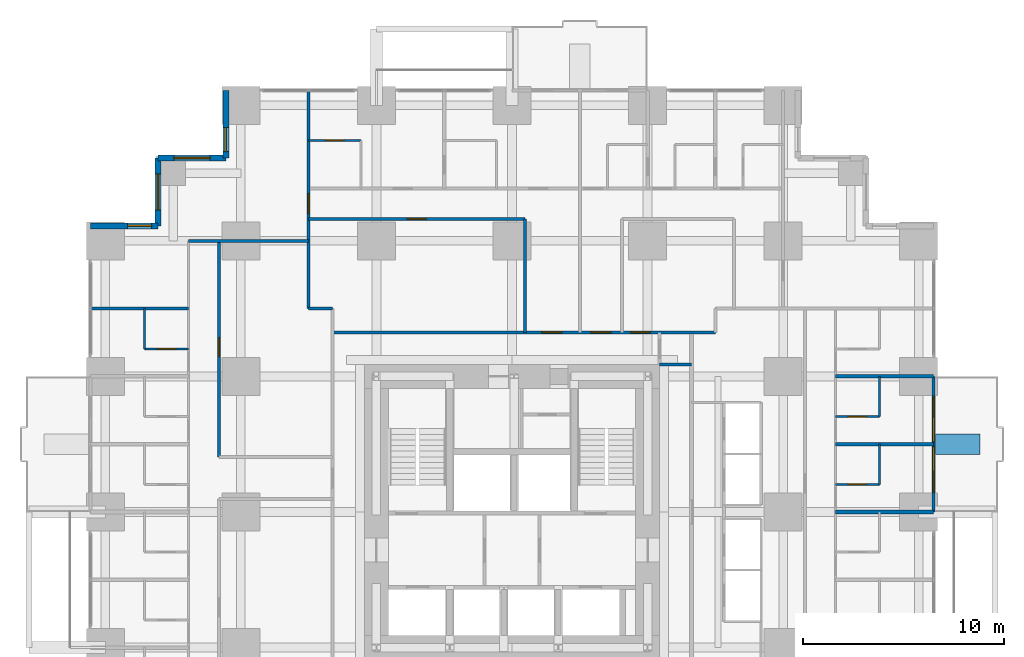
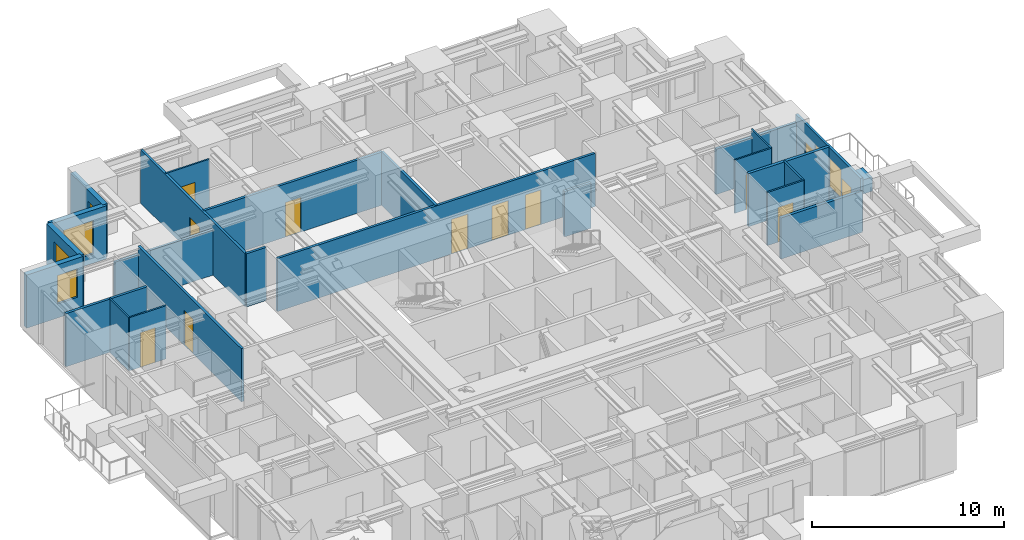
# One storey, part 12 of 15: 25 walls, 12 doors, 6 windows, 18 openings.
"""IFC4 building model written with IfcOpenShell, lengths in metres."""

import ifcopenshell
import ifcopenshell.guid

model = None  # the IFC model being written
_history = None  # IfcOwnerHistory: only IFC2X3 demands one
_inside = {}  # id of a spatial element -> (the spatial element, [elements in it])
_under = {}  # id of a project, library or spatial element -> (it, [spatial elements below it])
_declared = {}  # id of a project -> (the project, [libraries it declares])
_typed = {}  # id of a type object -> (the type object, [elements of that type])
_made_of = {}  # id of a material, layer set ... -> (it, [elements and type objects made of it])


def new_model(schema):
    """Start an empty IFC model of exactly this schema.

    Asked for "IFC4X3", IfcOpenShell would pick the latest addendum, in which some entities
    have other attributes; the version numbers below select the first issue.
    IFC2X3 requires an IfcOwnerHistory on every rooted entity: one is made here for all.
    """
    global model, _history
    if schema == "IFC4X3":
        model = ifcopenshell.file(schema_version=(4, 3, 0, 0))
    else:
        model = ifcopenshell.file(schema=schema)
    _inside.clear()
    _under.clear()
    _declared.clear()
    _typed.clear()
    _made_of.clear()
    _history = None
    if model.schema == "IFC2X3":
        org = make("IfcOrganization", Name="unknown")
        user = make(
            "IfcPersonAndOrganization",
            ThePerson=make("IfcPerson", FamilyName="unknown"),
            TheOrganization=org,
        )
        app = make(
            "IfcApplication",
            ApplicationDeveloper=org,
            Version="unknown",
            ApplicationFullName="unknown",
            ApplicationIdentifier="unknown",
        )
        _history = make(
            "IfcOwnerHistory",
            OwningUser=user,
            OwningApplication=app,
            ChangeAction="ADDED",
            CreationDate=0,
        )
    return model


def make(cls, **values):
    """One entity of the class cls with the attributes given. An attribute that is None is left unset."""
    return model.create_entity(
        cls, **{name: value for name, value in values.items() if value is not None}
    )


def rooted(cls, **values):
    """An entity with a GlobalId (a new one), such as an element, a storey or a relation."""
    return make(cls, GlobalId=ifcopenshell.guid.new(), OwnerHistory=_history, **values)


def si_unit(unit_type, name, prefix=None):
    """IfcSIUnit, for example si_unit("LENGTHUNIT", "METRE", prefix="MILLI")."""
    return make("IfcSIUnit", UnitType=unit_type, Prefix=prefix, Name=name)


def assignment(units):
    """IfcUnitAssignment: the units of a project."""
    return None if units is None else make("IfcUnitAssignment", Units=units)


def point(xyz):
    """IfcCartesianPoint."""
    return None if xyz is None else make("IfcCartesianPoint", Coordinates=xyz)


def direction(xyz):
    """IfcDirection."""
    return None if xyz is None else make("IfcDirection", DirectionRatios=xyz)


def frame(location, z_axis=None, x_axis=None):
    """IfcAxis2Placement3D, a coordinate frame: its origin and axes. An axis left out is left unset."""
    return make(
        "IfcAxis2Placement3D",
        Location=point(location),
        Axis=direction(z_axis),
        RefDirection=direction(x_axis),
    )


def frame_2d(location, x_axis=None):
    """IfcAxis2Placement2D, a coordinate frame in the plane: its origin and x axis."""
    return make(
        "IfcAxis2Placement2D", Location=point(location), RefDirection=direction(x_axis)
    )


def origin():
    """The frame at (0, 0, 0) with its axes left unset."""
    return frame((0.0, 0.0, 0.0))


def place(relative_to, where):
    """IfcLocalPlacement: puts the frame where relative to a parent placement (None: the world)."""
    return make(
        "IfcLocalPlacement", PlacementRelTo=relative_to, RelativePlacement=where
    )


def context(
    kind, dimensions, precision=None, world=None, true_north=None, identifier=None
):
    """IfcGeometricRepresentationContext, for example the 3D "Model" context."""
    return make(
        "IfcGeometricRepresentationContext",
        ContextIdentifier=identifier,
        ContextType=kind,
        CoordinateSpaceDimension=dimensions,
        Precision=precision,
        WorldCoordinateSystem=world,
        TrueNorth=true_north,
    )


def subcontext(parent, identifier, kind, view, scale=None):
    """IfcGeometricRepresentationSubContext, for example "Body" below "Model"."""
    return make(
        "IfcGeometricRepresentationSubContext",
        ContextIdentifier=identifier,
        ContextType=kind,
        ParentContext=parent,
        TargetScale=scale,
        TargetView=view,
    )


def project(units=None, contexts=None):
    """IfcProject with its units and contexts."""
    return rooted(
        "IfcProject",
        Name="project",
        RepresentationContexts=contexts,
        UnitsInContext=assignment(units),
    )


def spatial(cls, under=None, at=None, **own):
    """A site, building, storey or space (cls), placed at a placement, below another one or the project."""
    s = rooted(cls, ObjectPlacement=at, **own)
    if under is not None:
        _under.setdefault(under.id(), (under, []))[1].append(s)
    return s


def profile(cls, at=None, kind="AREA", **sizes):
    """A parametric profile (cls). Its sizes go by their IFC names, for example OverallWidth=200.0."""
    return make(cls, ProfileType=kind, Position=at, **sizes)


def rectangle(**sizes):
    """IfcRectangleProfileDef."""
    return profile("IfcRectangleProfileDef", **sizes)


def extrude(swept, where, along, depth):
    """IfcExtrudedAreaSolid: the profile swept, set in the frame where, extruded along a direction by depth."""
    return make(
        "IfcExtrudedAreaSolid",
        SweptArea=swept,
        Position=where,
        ExtrudedDirection=direction(along),
        Depth=depth,
    )


def shape(context_of_items, identifier, shape_type, items):
    """IfcShapeRepresentation: the items that make up one representation, for example the "Body"."""
    return make(
        "IfcShapeRepresentation",
        ContextOfItems=context_of_items,
        RepresentationIdentifier=identifier,
        RepresentationType=shape_type,
        Items=items,
    )


def material(Name=None, Category=None):
    """IfcMaterial."""
    return make("IfcMaterial", Name=Name, Category=Category)


def layer(
    of_material, thickness, ventilated=None, Name=None, Category=None, Priority=None
):
    """IfcMaterialLayer: one layer of a wall or slab, of a material (None: an air gap)."""
    return make(
        "IfcMaterialLayer",
        Material=of_material,
        LayerThickness=thickness,
        IsVentilated=ventilated,
        Name=Name,
        Category=Category,
        Priority=Priority,
    )


def layer_set(layers, Name=None):
    """IfcMaterialLayerSet."""
    return make("IfcMaterialLayerSet", MaterialLayers=layers, LayerSetName=Name)


def made_of(thing, what):
    """Note that an element or type object is made of a material, layer set ...; save() writes the relation."""
    if what is not None:
        _made_of.setdefault(what.id(), (what, []))[1].append(thing)
    return thing


def type_object(cls, material=None, **own):
    """A type object (cls), such as IfcWallType, which elements share."""
    return made_of(rooted(cls, **own), material)


def element(
    cls,
    number,
    at=None,
    inside=None,
    cuts=None,
    type_object=None,
    material=None,
    context=None,
    identifier="Body",
    shape_type=None,
    held_by="IfcProductDefinitionShape",
    body=None,
    shapes=None,
    **own,
):
    """One element of the class cls, such as IfcWall. Its Tag is "e" and its number.

    at: its placement. inside: the storey or other place that contains it. cuts: it is an
    opening in that element (IfcRelVoidsElement). A single representation is given by context,
    identifier, shape_type and body (its items); several are given by shapes. held_by: the class
    of the entity that holds the representations. save() writes the other relations.
    """
    e = rooted(cls, Tag="e%d" % number, ObjectPlacement=at, **own)
    if body is not None:
        shapes = [shape(context, identifier, shape_type, body)]
    if shapes is not None:
        e.Representation = make(held_by, Representations=shapes)
    if inside is not None:
        _inside.setdefault(inside.id(), (inside, []))[1].append(e)
    if cuts is not None:
        rooted(
            "IfcRelVoidsElement", RelatingBuildingElement=cuts, RelatedOpeningElement=e
        )
    if type_object is not None:
        _typed.setdefault(type_object.id(), (type_object, []))[1].append(e)
    return made_of(e, material)


def fill(opening, filler):
    """IfcRelFillsElement: the door or window that sits in an opening."""
    return rooted(
        "IfcRelFillsElement",
        RelatingOpeningElement=opening,
        RelatedBuildingElement=filler,
    )


def aggregate(whole, parts):
    """IfcRelAggregates: a whole, such as a stair, and the parts it consists of."""
    return rooted("IfcRelAggregates", RelatingObject=whole, RelatedObjects=parts)


def save(model, path):
    """Write the relations noted so far, then the file.

    IfcRelAggregates (storeys below a building ...), IfcRelContainedInSpatialStructure (elements
    in a storey), IfcRelDefinesByType, IfcRelAssociatesMaterial and IfcRelDeclares: one each for
    every whole, place, type object, material and project.
    """
    for whole, parts in _under.values():
        aggregate(whole, parts)
    for where, things in _inside.values():
        rooted(
            "IfcRelContainedInSpatialStructure",
            RelatedElements=things,
            RelatingStructure=where,
        )
    for kind, things in _typed.values():
        rooted("IfcRelDefinesByType", RelatedObjects=things, RelatingType=kind)
    for what, things in _made_of.values():
        rooted("IfcRelAssociatesMaterial", RelatedObjects=things, RelatingMaterial=what)
    for by, libraries in _declared.values():
        rooted("IfcRelDeclares", RelatingContext=by, RelatedDefinitions=libraries)
    model.write(path)


model = new_model("IFC4")

# Units and contexts
model_context = context("Model", 3, precision=1e-05, world=origin(), true_north=direction((0.0, 1.0)))
body_context = subcontext(model_context, "Body", "Model", "MODEL_VIEW")
ifc_project = project(units=[si_unit("LENGTHUNIT", "METRE"), si_unit("AREAUNIT", "SQUARE_METRE"), si_unit("VOLUMEUNIT", "CUBIC_METRE"), si_unit("PLANEANGLEUNIT", "RADIAN"), si_unit("MASSUNIT", "GRAM", prefix="KILO")], contexts=[model_context])

# Site, building, storey
site_placement = place(None, origin())
site = spatial("IfcSite", under=ifc_project, at=site_placement, CompositionType="ELEMENT")
building_placement = place(site_placement, origin())
building = spatial("IfcBuilding", under=site, at=building_placement, Name="Nyansa Garden Tower", CompositionType="ELEMENT")
storey_placement = place(building_placement, frame((0.0, 0.0, 36.0)))
storey = spatial("IfcBuildingStorey", under=building, at=storey_placement, Name="L09", CompositionType="ELEMENT", Elevation=36.0)

# Walls
ifc_material_1 = material(Name="Dense blockwork, plastered both sides, 55 dB", Category="masonry")
ifc_layer_1 = layer(ifc_material_1, 0.175048828125)
ifc_layer_set_1 = layer_set([ifc_layer_1], Name="Acoustic party wall PW175")
wall_type_1 = type_object("IfcWallType", Name="Acoustic party wall PW175", PredefinedType="PARTITIONING", material=ifc_layer_set_1)
wall_1_placement = place(storey_placement, frame((36.35009765625, 20.25, 0.0), z_axis=(0.0, 0.0, 1.0), x_axis=(1.0, 0.0, 0.0)))
element("IfcWall", 1, at=wall_1_placement, inside=storey, type_object=wall_type_1, Name="Party wall", PredefinedType="PARTITIONING", context=body_context, shape_type="SweptSolid", body=[
    extrude(rectangle(XDim=4.8837890625, YDim=0.175048828125, at=frame_2d((2.44189453125, 0.0))), origin(), (0.0, 0.0, 1.0), 2.610107421875),
])
wall_2_placement = place(storey_placement, frame((36.35009765625, 23.625, 0.0), z_axis=(0.0, 0.0, 1.0), x_axis=(1.0, 0.0, 0.0)))
element("IfcWall", 2, at=wall_2_placement, inside=storey, type_object=wall_type_1, Name="Party wall", PredefinedType="PARTITIONING", context=body_context, shape_type="SweptSolid", body=[
    extrude(rectangle(XDim=4.8837890625, YDim=0.175048828125, at=frame_2d((2.44189453125, 0.0))), origin(), (0.0, 0.0, 1.0), 3.375),
])
wall_3_placement = place(storey_placement, frame((36.35009765625, 27.0, 0.0), z_axis=(0.0, 0.0, 1.0), x_axis=(1.0, 0.0, 0.0)))
element("IfcWall", 3, at=wall_3_placement, inside=storey, type_object=wall_type_1, Name="Party wall", PredefinedType="PARTITIONING", context=body_context, shape_type="SweptSolid", body=[
    extrude(rectangle(XDim=4.8837890625, YDim=0.175048828125, at=frame_2d((2.44189453125, 0.0))), origin(), (0.0, 0.0, 1.0), 2.876953125),
])

# Wall, openings, doors, windows
ifc_material_2 = material(Name="Black aluminium framed glazed screen", Category="aluminium")
ifc_layer_2 = layer(ifc_material_2, 0.14990234375)
ifc_layer_set_2 = layer_set([ifc_layer_2], Name="Balcony screen wall BW150")
wall_type_2 = type_object("IfcWallType", Name="Balcony screen wall BW150", PredefinedType="SOLIDWALL", material=ifc_layer_set_2)
wall_4_placement = place(storey_placement, frame((41.25, 27.0, 0.0), z_axis=(0.0, 0.0, 1.0), x_axis=(0.0, -1.0, 0.0)))
wall_4 = element("IfcWall", 4, at=wall_4_placement, inside=storey, type_object=wall_type_2, Name="Glazed screen wall L09 E", PredefinedType="SOLIDWALL", context=body_context, shape_type="SweptSolid", body=[
    extrude(rectangle(XDim=6.75, YDim=0.14990234375, at=frame_2d((3.375, 0.0))), origin(), (0.0, 0.0, 1.0), 3.375),
])
opening_1_placement = place(wall_4_placement, frame((0.995849609375, 0.0, 0.0)))
opening_1 = element("IfcOpeningElement", 5, at=opening_1_placement, cuts=wall_4, Name="Opening D20", PredefinedType="OPENING", context=body_context, shape_type="SweptSolid", body=[
    extrude(rectangle(XDim=1.0, YDim=2.199951171875, at=frame_2d((0.5, 1.10009765625))), frame((0.0, 0.0849609375, 0.0), z_axis=(0.0, -1.0, 0.0), x_axis=(1.0, 0.0, 0.0)), (0.0, 0.0, 1.0), 0.169921875),
])
opening_2_placement = place(wall_4_placement, frame((2.041748046875, 0.0, 0.89990234375)))
opening_2 = element("IfcOpeningElement", 6, at=opening_2_placement, cuts=wall_4, Name="Opening W6", PredefinedType="OPENING", context=body_context, shape_type="SweptSolid", body=[
    extrude(rectangle(XDim=1.199951171875, YDim=1.800048828125, at=frame_2d((0.60009765625, 0.89990234375))), frame((0.0, 0.0849609375, 0.0), z_axis=(0.0, -1.0, 0.0), x_axis=(1.0, 0.0, 0.0)), (0.0, 0.0, 1.0), 0.169921875),
])
opening_3_placement = place(wall_4_placement, frame((4.754150390625, 0.0, 0.0)))
opening_3 = element("IfcOpeningElement", 7, at=opening_3_placement, cuts=wall_4, Name="Opening D20", PredefinedType="OPENING", context=body_context, shape_type="SweptSolid", body=[
    extrude(rectangle(XDim=1.0, YDim=2.199951171875, at=frame_2d((0.5, 1.10009765625))), frame((0.0, 0.0849609375, 0.0), z_axis=(0.0, -1.0, 0.0), x_axis=(1.0, 0.0, 0.0)), (0.0, 0.0, 1.0), 0.169921875),
])
opening_4_placement = place(wall_4_placement, frame((3.50830078125, 0.0, 0.89990234375)))
opening_4 = element("IfcOpeningElement", 8, at=opening_4_placement, cuts=wall_4, Name="Opening W6", PredefinedType="OPENING", context=body_context, shape_type="SweptSolid", body=[
    extrude(rectangle(XDim=1.199951171875, YDim=1.800048828125, at=frame_2d((0.60009765625, 0.89990234375))), frame((0.0, 0.0849609375, 0.0), z_axis=(0.0, -1.0, 0.0), x_axis=(1.0, 0.0, 0.0)), (0.0, 0.0, 1.0), 0.169921875),
])
ifc_material_3 = material(Name="Black aluminium framed glazed door", Category="aluminium")
door_type_1 = type_object("IfcDoorType", Name="Balcony door D20 1000x2200", OperationType="NOTDEFINED", PredefinedType="DOOR", material=ifc_material_3)
door_1_placement = place(opening_1_placement, origin())
door_1 = element("IfcDoor", 9, at=door_1_placement, inside=storey, type_object=door_type_1, Name="Balcony door L09", OperationType="SINGLE_SWING_LEFT", OverallHeight=2.199951171875, OverallWidth=1.0, PredefinedType="DOOR", context=body_context, shape_type="SweptSolid", body=[
    extrude(rectangle(XDim=1.0, YDim=2.199951171875, at=frame_2d((0.5, 1.10009765625))), frame((0.0, 0.02490234375, 0.0), z_axis=(0.0, -1.0, 0.0), x_axis=(1.0, 0.0, 0.0)), (0.0, 0.0, 1.0), 0.050048828125),
])
fill(opening_1, door_1)
door_2_placement = place(opening_3_placement, origin())
door_2 = element("IfcDoor", 10, at=door_2_placement, inside=storey, type_object=door_type_1, Name="Balcony door L09", OperationType="SINGLE_SWING_RIGHT", OverallHeight=2.199951171875, OverallWidth=1.0, PredefinedType="DOOR", context=body_context, shape_type="SweptSolid", body=[
    extrude(rectangle(XDim=1.0, YDim=2.199951171875, at=frame_2d((0.5, 1.10009765625))), frame((0.0, 0.02490234375, 0.0), z_axis=(0.0, -1.0, 0.0), x_axis=(1.0, 0.0, 0.0)), (0.0, 0.0, 1.0), 0.050048828125),
])
fill(opening_3, door_2)
ifc_material_4 = material(Name="Black aluminium frame, dark tinted double glazing", Category="aluminium")
window_type_1 = type_object("IfcWindowType", Name="Balcony window W6 1200x1800", PartitioningType="SINGLE_PANEL", PredefinedType="WINDOW", material=ifc_material_4)
window_1_placement = place(opening_2_placement, origin())
window_1 = element("IfcWindow", 11, at=window_1_placement, inside=storey, type_object=window_type_1, Name="Window L09", OverallHeight=1.800048828125, OverallWidth=1.199951171875, PartitioningType="SINGLE_PANEL", PredefinedType="WINDOW", context=body_context, shape_type="SweptSolid", body=[
    extrude(rectangle(XDim=1.199951171875, YDim=1.800048828125, at=frame_2d((0.60009765625, 0.89990234375))), frame((0.0, 0.030029296875, 0.0), z_axis=(0.0, -1.0, 0.0), x_axis=(1.0, 0.0, 0.0)), (0.0, 0.0, 1.0), 0.06005859375),
])
fill(opening_2, window_1)
window_2_placement = place(opening_4_placement, origin())
window_2 = element("IfcWindow", 12, at=window_2_placement, inside=storey, type_object=window_type_1, Name="Window L09", OverallHeight=1.800048828125, OverallWidth=1.199951171875, PartitioningType="SINGLE_PANEL", PredefinedType="WINDOW", context=body_context, shape_type="SweptSolid", body=[
    extrude(rectangle(XDim=1.199951171875, YDim=1.800048828125, at=frame_2d((0.60009765625, 0.89990234375))), frame((0.0, 0.030029296875, 0.0), z_axis=(0.0, -1.0, 0.0), x_axis=(1.0, 0.0, 0.0)), (0.0, 0.0, 1.0), 0.06005859375),
])
fill(opening_4, window_2)

# Walls
ifc_material_5 = material(Name="Blockwork, plastered both sides", Category="masonry")
ifc_layer_3 = layer(ifc_material_5, 0.14990234375)
ifc_layer_set_3 = layer_set([ifc_layer_3], Name="Partition PW150")
wall_type_3 = type_object("IfcWallType", Name="Partition PW150", PredefinedType="PARTITIONING", material=ifc_layer_set_3)
wall_5_placement = place(storey_placement, frame((-0.73388671875, 30.375, 0.0), z_axis=(0.0, 0.0, 1.0), x_axis=(1.0, 0.0, 0.0)))
element("IfcWall", 13, at=wall_5_placement, inside=storey, type_object=wall_type_3, Name="Partition", PredefinedType="PARTITIONING", context=body_context, shape_type="SweptSolid", body=[
    extrude(rectangle(XDim=4.8837890625, YDim=0.14990234375, at=frame_2d((2.44189453125, 0.0))), origin(), (0.0, 0.0, 1.0), 3.375),
])
wall_6_placement = place(storey_placement, frame((4.14990234375, 33.75, 0.0), z_axis=(0.0, 0.0, 1.0), x_axis=(1.0, 0.0, 0.0)))
element("IfcWall", 14, at=wall_6_placement, inside=storey, type_object=wall_type_3, Name="Partition", PredefinedType="PARTITIONING", context=body_context, shape_type="SweptSolid", body=[
    extrude(rectangle(XDim=5.97509765625, YDim=0.14990234375, at=frame_2d((2.987548828125, 0.0))), origin(), (0.0, 0.0, 1.0), 2.876953125),
])

# Wall, opening, door
wall_7_placement = place(storey_placement, frame((5.64990234375, 22.987548828125, 0.0), z_axis=(0.0, 0.0, 1.0), x_axis=(0.0, 1.0, 0.0)))
wall_7 = element("IfcWall", 15, at=wall_7_placement, inside=storey, type_object=wall_type_3, Name="Partition", PredefinedType="PARTITIONING", context=body_context, shape_type="SweptSolid", body=[
    extrude(rectangle(XDim=10.762451171875, YDim=0.14990234375, at=frame_2d((5.38134765625, 0.0))), origin(), (0.0, 0.0, 1.0), 3.375),
])
opening_5_placement = place(wall_7_placement, frame((5.0, 0.0, 0.0)))
opening_5 = element("IfcOpeningElement", 16, at=opening_5_placement, cuts=wall_7, Name="Opening D01", PredefinedType="OPENING", context=body_context, shape_type="SweptSolid", body=[
    extrude(rectangle(XDim=0.949951171875, YDim=2.199951171875, at=frame_2d((0.47509765625, 1.10009765625))), frame((0.0, 0.0849609375, 0.0), z_axis=(0.0, -1.0, 0.0), x_axis=(1.0, 0.0, 0.0)), (0.0, 0.0, 1.0), 0.169921875),
])
ifc_material_6 = material(Name="Timber flush door, 30 minute fire resisting", Category="wood")
door_type_2 = type_object("IfcDoorType", Name="Bedroom door D01 950x2200", OperationType="SINGLE_SWING_LEFT", PredefinedType="DOOR", material=ifc_material_6)
door_3_placement = place(opening_5_placement, origin())
door_3 = element("IfcDoor", 17, at=door_3_placement, inside=storey, type_object=door_type_2, Name="Door L09-084", OperationType="SINGLE_SWING_LEFT", OverallHeight=2.199951171875, OverallWidth=0.949951171875, PredefinedType="DOOR", context=body_context, shape_type="SweptSolid", body=[
    extrude(rectangle(XDim=0.949951171875, YDim=2.199951171875, at=frame_2d((0.47509765625, 1.10009765625))), frame((0.0, 0.02490234375, 0.0), z_axis=(0.0, -1.0, 0.0), x_axis=(1.0, 0.0, 0.0)), (0.0, 0.0, 1.0), 0.050048828125),
])
fill(opening_5, door_3)

wall_8_placement = place(storey_placement, frame((10.125, 30.375, 0.0), z_axis=(0.0, 0.0, 1.0), x_axis=(0.0, 1.0, 0.0)))
wall_8 = element("IfcWall", 18, at=wall_8_placement, inside=storey, type_object=wall_type_3, Name="Partition", PredefinedType="PARTITIONING", context=body_context, shape_type="SweptSolid", body=[
    extrude(rectangle(XDim=10.85888671875, YDim=0.14990234375, at=frame_2d((5.429443359375, 0.0))), origin(), (0.0, 0.0, 1.0), 3.375),
])
opening_6_placement = place(wall_8_placement, frame((4.72509765625, 0.0, 0.0)))
opening_6 = element("IfcOpeningElement", 19, at=opening_6_placement, cuts=wall_8, Name="Opening D03", PredefinedType="OPENING", context=body_context, shape_type="SweptSolid", body=[
    extrude(rectangle(XDim=1.0, YDim=2.199951171875, at=frame_2d((0.5, 1.10009765625))), frame((0.0, 0.0849609375, 0.0), z_axis=(0.0, -1.0, 0.0), x_axis=(1.0, 0.0, 0.0)), (0.0, 0.0, 1.0), 0.169921875),
])
ifc_material_7 = material(Name="Timber flush door, 60 minute fire resisting", Category="wood")
door_type_3 = type_object("IfcDoorType", Name="Cluster entrance door D03 1000x2200", OperationType="SINGLE_SWING_LEFT", PredefinedType="DOOR", material=ifc_material_7)
door_4_placement = place(opening_6_placement, origin())
door_4 = element("IfcDoor", 20, at=door_4_placement, inside=storey, type_object=door_type_3, Name="Door L09-069", OperationType="SINGLE_SWING_LEFT", OverallHeight=2.199951171875, OverallWidth=1.0, PredefinedType="DOOR", context=body_context, shape_type="SweptSolid", body=[
    extrude(rectangle(XDim=1.0, YDim=2.199951171875, at=frame_2d((0.5, 1.10009765625))), frame((0.0, 0.02490234375, 0.0), z_axis=(0.0, -1.0, 0.0), x_axis=(1.0, 0.0, 0.0)), (0.0, 0.0, 1.0), 0.050048828125),
])
fill(opening_6, door_4)

# Wall
wall_9_placement = place(storey_placement, frame((10.125, 30.375, 0.0), z_axis=(0.0, 0.0, 1.0), x_axis=(1.0, 0.0, 0.0)))
element("IfcWall", 21, at=wall_9_placement, inside=storey, type_object=wall_type_3, Name="Partition", PredefinedType="PARTITIONING", context=body_context, shape_type="SweptSolid", body=[
    extrude(rectangle(XDim=1.175048828125, YDim=0.14990234375, at=frame_2d((0.58740234375, 0.0))), origin(), (0.0, 0.0, 1.0), 3.375),
])

# Wall, opening, door
wall_10_placement = place(storey_placement, frame((10.125, 34.85009765625, 0.0), z_axis=(0.0, 0.0, 1.0), x_axis=(1.0, 0.0, 0.0)))
wall_10 = element("IfcWall", 22, at=wall_10_placement, inside=storey, type_object=wall_type_3, Name="Partition", PredefinedType="PARTITIONING", context=body_context, shape_type="SweptSolid", body=[
    extrude(rectangle(XDim=10.762451171875, YDim=0.14990234375, at=frame_2d((5.38134765625, 0.0))), origin(), (0.0, 0.0, 1.0), 3.375),
])
opening_7_placement = place(wall_10_placement, frame((4.89990234375, 0.0, 0.0)))
opening_7 = element("IfcOpeningElement", 23, at=opening_7_placement, cuts=wall_10, Name="Opening D01", PredefinedType="OPENING", context=body_context, shape_type="SweptSolid", body=[
    extrude(rectangle(XDim=0.949951171875, YDim=2.199951171875, at=frame_2d((0.47509765625, 1.10009765625))), frame((0.0, 0.0849609375, 0.0), z_axis=(0.0, -1.0, 0.0), x_axis=(1.0, 0.0, 0.0)), (0.0, 0.0, 1.0), 0.169921875),
])
door_5_placement = place(opening_7_placement, origin())
door_5 = element("IfcDoor", 24, at=door_5_placement, inside=storey, type_object=door_type_2, Name="Door L09-068", OperationType="SINGLE_SWING_LEFT", OverallHeight=2.199951171875, OverallWidth=0.949951171875, PredefinedType="DOOR", context=body_context, shape_type="SweptSolid", body=[
    extrude(rectangle(XDim=0.949951171875, YDim=2.199951171875, at=frame_2d((0.47509765625, 1.10009765625))), frame((0.0, 0.02490234375, 0.0), z_axis=(0.0, -1.0, 0.0), x_axis=(1.0, 0.0, 0.0)), (0.0, 0.0, 1.0), 0.050048828125),
])
fill(opening_7, door_5)

# Wall, openings, doors
wall_11_placement = place(storey_placement, frame((11.300048828125, 29.199951171875, 0.0), z_axis=(0.0, 0.0, 1.0), x_axis=(1.0, 0.0, 0.0)))
wall_11 = element("IfcWall", 25, at=wall_11_placement, inside=storey, type_object=wall_type_3, Name="Partition", PredefinedType="PARTITIONING", context=body_context, shape_type="SweptSolid", body=[
    extrude(rectangle(XDim=19.074951171875, YDim=0.14990234375, at=frame_2d((9.53759765625, 0.0))), origin(), (0.0, 0.0, 1.0), 3.375),
])
opening_8_placement = place(wall_11_placement, frame((12.875, 0.0, 0.0)))
opening_8 = element("IfcOpeningElement", 26, at=opening_8_placement, cuts=wall_11, Name="Opening D03", PredefinedType="OPENING", context=body_context, shape_type="SweptSolid", body=[
    extrude(rectangle(XDim=1.0, YDim=2.199951171875, at=frame_2d((0.5, 1.10009765625))), frame((0.0, 0.0849609375, 0.0), z_axis=(0.0, -1.0, 0.0), x_axis=(1.0, 0.0, 0.0)), (0.0, 0.0, 1.0), 0.169921875),
])
opening_9_placement = place(wall_11_placement, frame((10.4375, 0.0, 0.0)))
opening_9 = element("IfcOpeningElement", 27, at=opening_9_placement, cuts=wall_11, Name="Opening D03", PredefinedType="OPENING", context=body_context, shape_type="SweptSolid", body=[
    extrude(rectangle(XDim=1.0, YDim=2.199951171875, at=frame_2d((0.5, 1.10009765625))), frame((0.0, 0.0849609375, 0.0), z_axis=(0.0, -1.0, 0.0), x_axis=(1.0, 0.0, 0.0)), (0.0, 0.0, 1.0), 0.169921875),
])
opening_10_placement = place(wall_11_placement, frame((14.875, 0.0, 0.0)))
opening_10 = element("IfcOpeningElement", 28, at=opening_10_placement, cuts=wall_11, Name="Opening D01", PredefinedType="OPENING", context=body_context, shape_type="SweptSolid", body=[
    extrude(rectangle(XDim=0.949951171875, YDim=2.199951171875, at=frame_2d((0.47509765625, 1.10009765625))), frame((0.0, 0.0849609375, 0.0), z_axis=(0.0, -1.0, 0.0), x_axis=(1.0, 0.0, 0.0)), (0.0, 0.0, 1.0), 0.169921875),
])
door_6_placement = place(opening_10_placement, origin())
door_6 = element("IfcDoor", 29, at=door_6_placement, inside=storey, type_object=door_type_2, Name="Door L09-067", OperationType="SINGLE_SWING_LEFT", OverallHeight=2.199951171875, OverallWidth=0.949951171875, PredefinedType="DOOR", context=body_context, shape_type="SweptSolid", body=[
    extrude(rectangle(XDim=0.949951171875, YDim=2.199951171875, at=frame_2d((0.47509765625, 1.10009765625))), frame((0.0, 0.02490234375, 0.0), z_axis=(0.0, -1.0, 0.0), x_axis=(1.0, 0.0, 0.0)), (0.0, 0.0, 1.0), 0.050048828125),
])
fill(opening_10, door_6)
door_7_placement = place(opening_8_placement, origin())
door_7 = element("IfcDoor", 30, at=door_7_placement, inside=storey, type_object=door_type_3, Name="Door L09-061", OperationType="SINGLE_SWING_LEFT", OverallHeight=2.199951171875, OverallWidth=1.0, PredefinedType="DOOR", context=body_context, shape_type="SweptSolid", body=[
    extrude(rectangle(XDim=1.0, YDim=2.199951171875, at=frame_2d((0.5, 1.10009765625))), frame((0.0, 0.02490234375, 0.0), z_axis=(0.0, -1.0, 0.0), x_axis=(1.0, 0.0, 0.0)), (0.0, 0.0, 1.0), 0.050048828125),
])
fill(opening_8, door_7)
door_8_placement = place(opening_9_placement, origin())
door_8 = element("IfcDoor", 31, at=door_8_placement, inside=storey, type_object=door_type_3, Name="Door L09-066", OperationType="SINGLE_SWING_LEFT", OverallHeight=2.199951171875, OverallWidth=1.0, PredefinedType="DOOR", context=body_context, shape_type="SweptSolid", body=[
    extrude(rectangle(XDim=1.0, YDim=2.199951171875, at=frame_2d((0.5, 1.10009765625))), frame((0.0, 0.02490234375, 0.0), z_axis=(0.0, -1.0, 0.0), x_axis=(1.0, 0.0, 0.0)), (0.0, 0.0, 1.0), 0.050048828125),
])
fill(opening_9, door_8)

# Walls
wall_12_placement = place(storey_placement, frame((20.886962890625, 29.199951171875, 0.0), z_axis=(0.0, 0.0, 1.0), x_axis=(0.0, 1.0, 0.0)))
element("IfcWall", 32, at=wall_12_placement, inside=storey, type_object=wall_type_3, Name="Partition", PredefinedType="PARTITIONING", context=body_context, shape_type="SweptSolid", body=[
    extrude(rectangle(XDim=5.650146484375, YDim=0.14990234375, at=frame_2d((2.8251953125, 0.0))), origin(), (0.0, 0.0, 1.0), 3.375),
])
wall_13_placement = place(storey_placement, frame((27.60009765625, 27.60009765625, 0.0), z_axis=(0.0, 0.0, 1.0), x_axis=(1.0, 0.0, 0.0)))
element("IfcWall", 33, at=wall_13_placement, inside=storey, type_object=wall_type_3, Name="Partition", PredefinedType="PARTITIONING", context=body_context, shape_type="SweptSolid", body=[
    extrude(rectangle(XDim=1.599853515625, YDim=0.14990234375, at=frame_2d((0.7998046875, 0.0))), origin(), (0.0, 0.0, 1.0), 2.876953125),
])

# Wall, opening, window
ifc_material_8 = material(Name="Turquoise glazed tile on concrete blockwork", Category="masonry")
ifc_layer_4 = layer(ifc_material_8, 0.300048828125)
ifc_layer_set_4 = layer_set([ifc_layer_4], Name="Tiled corner wall TW300")
wall_type_4 = type_object("IfcWallType", Name="Tiled corner wall TW300", PredefinedType="SOLIDWALL", material=ifc_layer_set_4)
wall_14_placement = place(storey_placement, frame((6.0, 41.25, 0.0), z_axis=(0.0, 0.0, 1.0), x_axis=(0.0, -1.0, 0.0)))
wall_14 = element("IfcWall", 34, at=wall_14_placement, inside=storey, type_object=wall_type_4, Name="Tiled corner wall L09", PredefinedType="SOLIDWALL", context=body_context, shape_type="SweptSolid", body=[
    extrude(rectangle(XDim=3.375, YDim=0.300048828125, at=frame_2d((1.6875, 0.0))), origin(), (0.0, 0.0, 1.0), 3.375),
])
opening_11_placement = place(wall_14_placement, frame((1.857421875, 0.0, 0.89990234375)))
opening_11 = element("IfcOpeningElement", 35, at=opening_11_placement, cuts=wall_14, Name="Opening W4", PredefinedType="OPENING", context=body_context, shape_type="SweptSolid", body=[
    extrude(rectangle(XDim=1.199951171875, YDim=1.800048828125, at=frame_2d((0.60009765625, 0.89990234375))), frame((0.0, 0.159912109375, 0.0), z_axis=(0.0, -1.0, 0.0), x_axis=(1.0, 0.0, 0.0)), (0.0, 0.0, 1.0), 0.320068359375),
])
ifc_material_9 = material(Name="Black aluminium frame, dark tinted double glazing", Category="aluminium")
window_type_2 = type_object("IfcWindowType", Name="Window W4 1200x1800", PartitioningType="SINGLE_PANEL", PredefinedType="WINDOW", material=ifc_material_9)
window_3_placement = place(opening_11_placement, origin())
window_3 = element("IfcWindow", 36, at=window_3_placement, inside=storey, type_object=window_type_2, Name="Corner window L09", OverallHeight=1.800048828125, OverallWidth=1.199951171875, PartitioningType="SINGLE_PANEL", PredefinedType="WINDOW", context=body_context, shape_type="SweptSolid", body=[
    extrude(rectangle(XDim=1.199951171875, YDim=1.800048828125, at=frame_2d((0.60009765625, 0.89990234375))), frame((0.0, 0.030029296875, 0.0), z_axis=(0.0, -1.0, 0.0), x_axis=(1.0, 0.0, 0.0)), (0.0, 0.0, 1.0), 0.06005859375),
])
fill(opening_11, window_3)

wall_15_placement = place(storey_placement, frame((6.0, 37.875, 0.0), z_axis=(0.0, 0.0, 1.0), x_axis=(-1.0, 0.0, 0.0)))
wall_15 = element("IfcWall", 37, at=wall_15_placement, inside=storey, type_object=wall_type_4, Name="Tiled corner wall L09", PredefinedType="SOLIDWALL", context=body_context, shape_type="SweptSolid", body=[
    extrude(rectangle(XDim=3.375, YDim=0.300048828125, at=frame_2d((1.6875, 0.0))), origin(), (0.0, 0.0, 1.0), 3.375),
])
opening_12_placement = place(wall_15_placement, frame((0.78759765625, 0.0, 0.60009765625)))
opening_12 = element("IfcOpeningElement", 38, at=opening_12_placement, cuts=wall_15, Name="Opening W2", PredefinedType="OPENING", context=body_context, shape_type="SweptSolid", body=[
    extrude(rectangle(XDim=1.800048828125, YDim=2.10009765625, at=frame_2d((0.89990234375, 1.050048828125))), frame((0.0, 0.159912109375, 0.0), z_axis=(0.0, -1.0, 0.0), x_axis=(1.0, 0.0, 0.0)), (0.0, 0.0, 1.0), 0.320068359375),
])
ifc_material_10 = material(Name="Black aluminium frame, dark tinted double glazing", Category="aluminium")
window_type_3 = type_object("IfcWindowType", Name="Window W2 1800x2100", PartitioningType="SINGLE_PANEL", PredefinedType="WINDOW", material=ifc_material_10)
window_4_placement = place(opening_12_placement, origin())
window_4 = element("IfcWindow", 39, at=window_4_placement, inside=storey, type_object=window_type_3, Name="Corner window L09", OverallHeight=2.10009765625, OverallWidth=1.800048828125, PartitioningType="SINGLE_PANEL", PredefinedType="WINDOW", context=body_context, shape_type="SweptSolid", body=[
    extrude(rectangle(XDim=1.800048828125, YDim=2.10009765625, at=frame_2d((0.89990234375, 1.050048828125))), frame((0.0, 0.030029296875, 0.0), z_axis=(0.0, -1.0, 0.0), x_axis=(1.0, 0.0, 0.0)), (0.0, 0.0, 1.0), 0.06005859375),
])
fill(opening_12, window_4)

wall_16_placement = place(storey_placement, frame((2.625, 37.875, 0.0), z_axis=(0.0, 0.0, 1.0), x_axis=(0.0, -1.0, 0.0)))
wall_16 = element("IfcWall", 40, at=wall_16_placement, inside=storey, type_object=wall_type_4, Name="Tiled corner wall L09", PredefinedType="SOLIDWALL", context=body_context, shape_type="SweptSolid", body=[
    extrude(rectangle(XDim=3.375, YDim=0.300048828125, at=frame_2d((1.6875, 0.0))), origin(), (0.0, 0.0, 1.0), 3.375),
])
opening_13_placement = place(wall_16_placement, frame((0.78759765625, 0.0, 0.60009765625)))
opening_13 = element("IfcOpeningElement", 41, at=opening_13_placement, cuts=wall_16, Name="Opening W2", PredefinedType="OPENING", context=body_context, shape_type="SweptSolid", body=[
    extrude(rectangle(XDim=1.800048828125, YDim=2.10009765625, at=frame_2d((0.89990234375, 1.050048828125))), frame((0.0, 0.159912109375, 0.0), z_axis=(0.0, -1.0, 0.0), x_axis=(1.0, 0.0, 0.0)), (0.0, 0.0, 1.0), 0.320068359375),
])
window_5_placement = place(opening_13_placement, origin())
window_5 = element("IfcWindow", 42, at=window_5_placement, inside=storey, type_object=window_type_3, Name="Corner window L09", OverallHeight=2.10009765625, OverallWidth=1.800048828125, PartitioningType="SINGLE_PANEL", PredefinedType="WINDOW", context=body_context, shape_type="SweptSolid", body=[
    extrude(rectangle(XDim=1.800048828125, YDim=2.10009765625, at=frame_2d((0.89990234375, 1.050048828125))), frame((0.0, 0.030029296875, 0.0), z_axis=(0.0, -1.0, 0.0), x_axis=(1.0, 0.0, 0.0)), (0.0, 0.0, 1.0), 0.06005859375),
])
fill(opening_13, window_5)

wall_17_placement = place(storey_placement, frame((2.625, 34.5, 0.0), z_axis=(0.0, 0.0, 1.0), x_axis=(-1.0, 0.0, 0.0)))
wall_17 = element("IfcWall", 43, at=wall_17_placement, inside=storey, type_object=wall_type_4, Name="Tiled corner wall L09", PredefinedType="SOLIDWALL", context=body_context, shape_type="SweptSolid", body=[
    extrude(rectangle(XDim=3.375, YDim=0.300048828125, at=frame_2d((1.6875, 0.0))), origin(), (0.0, 0.0, 1.0), 3.375),
])
opening_14_placement = place(wall_17_placement, frame((0.3173828125, 0.0, 0.89990234375)))
opening_14 = element("IfcOpeningElement", 44, at=opening_14_placement, cuts=wall_17, Name="Opening W4", PredefinedType="OPENING", context=body_context, shape_type="SweptSolid", body=[
    extrude(rectangle(XDim=1.199951171875, YDim=1.800048828125, at=frame_2d((0.60009765625, 0.89990234375))), frame((0.0, 0.159912109375, 0.0), z_axis=(0.0, -1.0, 0.0), x_axis=(1.0, 0.0, 0.0)), (0.0, 0.0, 1.0), 0.320068359375),
])
window_6_placement = place(opening_14_placement, origin())
window_6 = element("IfcWindow", 45, at=window_6_placement, inside=storey, type_object=window_type_2, Name="Corner window L09", OverallHeight=1.800048828125, OverallWidth=1.199951171875, PartitioningType="SINGLE_PANEL", PredefinedType="WINDOW", context=body_context, shape_type="SweptSolid", body=[
    extrude(rectangle(XDim=1.199951171875, YDim=1.800048828125, at=frame_2d((0.60009765625, 0.89990234375))), frame((0.0, 0.030029296875, 0.0), z_axis=(0.0, -1.0, 0.0), x_axis=(1.0, 0.0, 0.0)), (0.0, 0.0, 1.0), 0.06005859375),
])
fill(opening_14, window_6)

# Walls
ifc_material_11 = material(Name="Concrete C40/50 planter, waterproofed", Category="concrete")
ifc_layer_5 = layer(ifc_material_11, 1.0)
ifc_layer_set_5 = layer_set([ifc_layer_5], Name="Tree planter TP1")
wall_type_5 = type_object("IfcWallType", Name="Tree planter TP1", PredefinedType="USERDEFINED", material=ifc_layer_set_5)
wall_18_placement = place(storey_placement, frame((41.35009765625, 23.625, 0.0), z_axis=(0.0, 0.0, 1.0), x_axis=(1.0, 0.0, 0.0)))
element("IfcWall", 46, at=wall_18_placement, inside=storey, type_object=wall_type_5, Name="Tree planter L09", ObjectType="TREE PLANTER", PredefinedType="USERDEFINED", context=body_context, shape_type="SweptSolid", body=[
    extrude(rectangle(XDim=2.199951171875, YDim=1.0, at=frame_2d((1.10009765625, 0.0))), origin(), (0.0, 0.0, 1.0), 0.89990234375),
])
ifc_material_12 = material(Name="Moisture resistant board on steel studs, tiled", Category="steel")
ifc_layer_6 = layer(ifc_material_12, 0.10009765625)
ifc_layer_set_6 = layer_set([ifc_layer_6], Name="Wet wall PW100")
wall_type_6 = type_object("IfcWallType", Name="Wet wall PW100", PredefinedType="PARTITIONING", material=ifc_layer_set_6)
wall_19_placement = place(storey_placement, frame((1.949951171875, 28.375, 0.0), z_axis=(0.0, 0.0, 1.0), x_axis=(0.0, 1.0, 0.0)))
element("IfcWall", 47, at=wall_19_placement, inside=storey, type_object=wall_type_6, Name="Wet wall", PredefinedType="PARTITIONING", context=body_context, shape_type="SweptSolid", body=[
    extrude(rectangle(XDim=2.0, YDim=0.10009765625, at=frame_2d((1.0, 0.0))), origin(), (0.0, 0.0, 1.0), 3.375),
])

# Wall, opening, door
wall_20_placement = place(storey_placement, frame((1.949951171875, 28.375, 0.0), z_axis=(0.0, 0.0, 1.0), x_axis=(1.0, 0.0, 0.0)))
wall_20 = element("IfcWall", 48, at=wall_20_placement, inside=storey, type_object=wall_type_6, Name="Wet wall", PredefinedType="PARTITIONING", context=body_context, shape_type="SweptSolid", body=[
    extrude(rectangle(XDim=2.199951171875, YDim=0.10009765625, at=frame_2d((1.10009765625, 0.0))), origin(), (0.0, 0.0, 1.0), 3.375),
])
opening_15_placement = place(wall_20_placement, frame((0.64990234375, 0.0, 0.0)))
opening_15 = element("IfcOpeningElement", 49, at=opening_15_placement, cuts=wall_20, Name="Opening D02", PredefinedType="OPENING", context=body_context, shape_type="SweptSolid", body=[
    extrude(rectangle(XDim=0.89990234375, YDim=2.199951171875, at=frame_2d((0.449951171875, 1.10009765625))), frame((0.0, 0.06005859375, 0.0), z_axis=(0.0, -1.0, 0.0), x_axis=(1.0, 0.0, 0.0)), (0.0, 0.0, 1.0), 0.1201171875),
])
ifc_material_13 = material(Name="Timber flush door", Category="wood")
door_type_4 = type_object("IfcDoorType", Name="En-suite door D02 900x2200", OperationType="SINGLE_SWING_RIGHT", PredefinedType="DOOR", material=ifc_material_13)
door_9_placement = place(opening_15_placement, origin())
door_9 = element("IfcDoor", 50, at=door_9_placement, inside=storey, type_object=door_type_4, Name="Door L09-081", OperationType="SINGLE_SWING_RIGHT", OverallHeight=2.199951171875, OverallWidth=0.89990234375, PredefinedType="DOOR", context=body_context, shape_type="SweptSolid", body=[
    extrude(rectangle(XDim=0.89990234375, YDim=2.199951171875, at=frame_2d((0.449951171875, 1.10009765625))), frame((0.0, 0.02490234375, 0.0), z_axis=(0.0, -1.0, 0.0), x_axis=(1.0, 0.0, 0.0)), (0.0, 0.0, 1.0), 0.050048828125),
])
fill(opening_15, door_9)

wall_21_placement = place(storey_placement, frame((10.125, 38.75, 0.0), z_axis=(0.0, 0.0, 1.0), x_axis=(1.0, 0.0, 0.0)))
wall_21 = element("IfcWall", 51, at=wall_21_placement, inside=storey, type_object=wall_type_6, Name="Wet wall", PredefinedType="PARTITIONING", context=body_context, shape_type="SweptSolid", body=[
    extrude(rectangle(XDim=2.60009765625, YDim=0.10009765625, at=frame_2d((1.300048828125, 0.0))), origin(), (0.0, 0.0, 1.0), 3.375),
])
opening_16_placement = place(wall_21_placement, frame((0.85009765625, 0.0, 0.0)))
opening_16 = element("IfcOpeningElement", 52, at=opening_16_placement, cuts=wall_21, Name="Opening D02", PredefinedType="OPENING", context=body_context, shape_type="SweptSolid", body=[
    extrude(rectangle(XDim=0.89990234375, YDim=2.199951171875, at=frame_2d((0.449951171875, 1.10009765625))), frame((0.0, 0.06005859375, 0.0), z_axis=(0.0, -1.0, 0.0), x_axis=(1.0, 0.0, 0.0)), (0.0, 0.0, 1.0), 0.1201171875),
])
door_10_placement = place(opening_16_placement, origin())
door_10 = element("IfcDoor", 53, at=door_10_placement, inside=storey, type_object=door_type_4, Name="Door L09-063", OperationType="SINGLE_SWING_RIGHT", OverallHeight=2.199951171875, OverallWidth=0.89990234375, PredefinedType="DOOR", context=body_context, shape_type="SweptSolid", body=[
    extrude(rectangle(XDim=0.89990234375, YDim=2.199951171875, at=frame_2d((0.449951171875, 1.10009765625))), frame((0.0, 0.02490234375, 0.0), z_axis=(0.0, -1.0, 0.0), x_axis=(1.0, 0.0, 0.0)), (0.0, 0.0, 1.0), 0.050048828125),
])
fill(opening_16, door_10)

wall_22_placement = place(storey_placement, frame((36.35009765625, 21.625, 0.0), z_axis=(0.0, 0.0, 1.0), x_axis=(1.0, 0.0, 0.0)))
wall_22 = element("IfcWall", 54, at=wall_22_placement, inside=storey, type_object=wall_type_6, Name="Wet wall", PredefinedType="PARTITIONING", context=body_context, shape_type="SweptSolid", body=[
    extrude(rectangle(XDim=2.199951171875, YDim=0.10009765625, at=frame_2d((1.10009765625, 0.0))), origin(), (0.0, 0.0, 1.0), 3.375),
])
opening_17_placement = place(wall_22_placement, frame((0.64990234375, 0.0, 0.0)))
opening_17 = element("IfcOpeningElement", 55, at=opening_17_placement, cuts=wall_22, Name="Opening D02", PredefinedType="OPENING", context=body_context, shape_type="SweptSolid", body=[
    extrude(rectangle(XDim=0.89990234375, YDim=2.199951171875, at=frame_2d((0.449951171875, 1.10009765625))), frame((0.0, 0.06005859375, 0.0), z_axis=(0.0, -1.0, 0.0), x_axis=(1.0, 0.0, 0.0)), (0.0, 0.0, 1.0), 0.1201171875),
])
door_11_placement = place(opening_17_placement, origin())
door_11 = element("IfcDoor", 56, at=door_11_placement, inside=storey, type_object=door_type_4, Name="Door L09-046", OperationType="SINGLE_SWING_RIGHT", OverallHeight=2.199951171875, OverallWidth=0.89990234375, PredefinedType="DOOR", context=body_context, shape_type="SweptSolid", body=[
    extrude(rectangle(XDim=0.89990234375, YDim=2.199951171875, at=frame_2d((0.449951171875, 1.10009765625))), frame((0.0, 0.02490234375, 0.0), z_axis=(0.0, -1.0, 0.0), x_axis=(1.0, 0.0, 0.0)), (0.0, 0.0, 1.0), 0.050048828125),
])
fill(opening_17, door_11)

wall_23_placement = place(storey_placement, frame((36.35009765625, 25.0, 0.0), z_axis=(0.0, 0.0, 1.0), x_axis=(1.0, 0.0, 0.0)))
wall_23 = element("IfcWall", 57, at=wall_23_placement, inside=storey, type_object=wall_type_6, Name="Wet wall", PredefinedType="PARTITIONING", context=body_context, shape_type="SweptSolid", body=[
    extrude(rectangle(XDim=2.199951171875, YDim=0.10009765625, at=frame_2d((1.10009765625, 0.0))), origin(), (0.0, 0.0, 1.0), 3.375),
])
opening_18_placement = place(wall_23_placement, frame((0.64990234375, 0.0, 0.0)))
opening_18 = element("IfcOpeningElement", 58, at=opening_18_placement, cuts=wall_23, Name="Opening D02", PredefinedType="OPENING", context=body_context, shape_type="SweptSolid", body=[
    extrude(rectangle(XDim=0.89990234375, YDim=2.199951171875, at=frame_2d((0.449951171875, 1.10009765625))), frame((0.0, 0.06005859375, 0.0), z_axis=(0.0, -1.0, 0.0), x_axis=(1.0, 0.0, 0.0)), (0.0, 0.0, 1.0), 0.1201171875),
])
door_12_placement = place(opening_18_placement, origin())
door_12 = element("IfcDoor", 59, at=door_12_placement, inside=storey, type_object=door_type_4, Name="Door L09-048", OperationType="SINGLE_SWING_RIGHT", OverallHeight=2.199951171875, OverallWidth=0.89990234375, PredefinedType="DOOR", context=body_context, shape_type="SweptSolid", body=[
    extrude(rectangle(XDim=0.89990234375, YDim=2.199951171875, at=frame_2d((0.449951171875, 1.10009765625))), frame((0.0, 0.02490234375, 0.0), z_axis=(0.0, -1.0, 0.0), x_axis=(1.0, 0.0, 0.0)), (0.0, 0.0, 1.0), 0.050048828125),
])
fill(opening_18, door_12)

# Walls
for number, where, z_axis, x_axis, name in (
    (60, (38.550048828125, 21.625, 0.0), (0.0, 0.0, 1.0), (0.0, 1.0, 0.0), "Wet wall"),
    (61, (38.550048828125, 25.0, 0.0), (0.0, 0.0, 1.0), (0.0, 1.0, 0.0), "Wet wall"),
):
    element("IfcWall", number, at=place(storey_placement, frame(where, z_axis=z_axis, x_axis=x_axis)), inside=storey, type_object=wall_type_6, Name=name, PredefinedType="PARTITIONING", context=body_context, shape_type="SweptSolid", body=[
        extrude(rectangle(XDim=2.0, YDim=0.10009765625, at=frame_2d((1.0, 0.0))), origin(), (0.0, 0.0, 1.0), 3.375),
    ])

save(model, "model.ifc")
